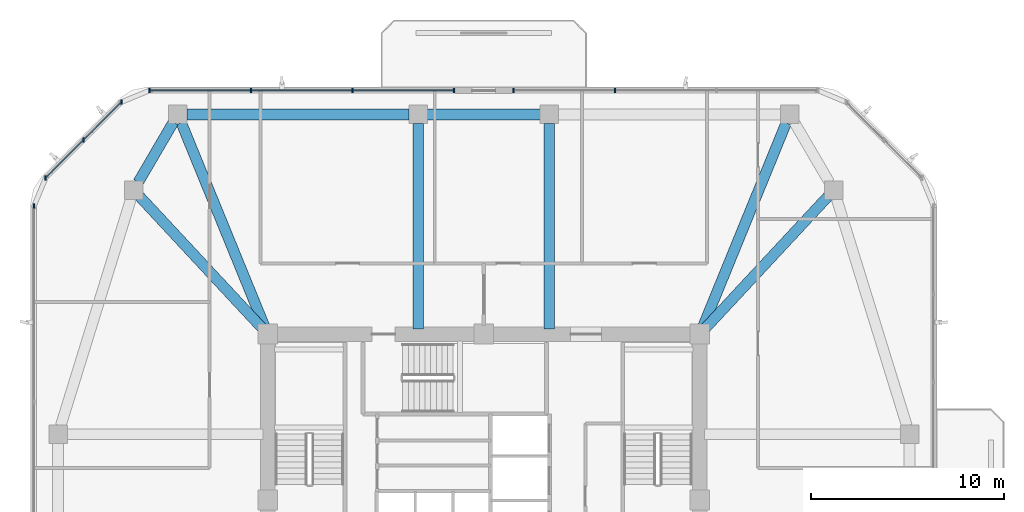
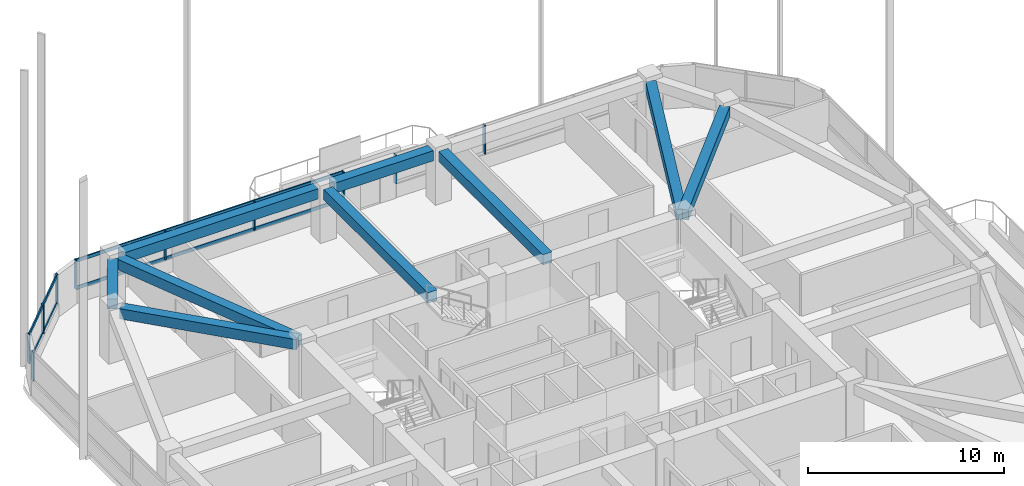
# One storey, part 5 of 14: 14 members, 9 beams, 4 elements without a shape of their own.
"""IFC4 building model written with IfcOpenShell, lengths in metres."""

from ifc_helpers import new_model, si_unit, derived_unit, direction, frame, origin, origin_2d, place, context, subcontext, project, spatial, rectangle, extrude, material, material_profile, profile_set, type_object, element, aggregate, save


model = new_model("IFC4")

# Units and contexts
model_context = context("Model", 3, precision=1e-05, world=origin(), true_north=direction((0.0, 1.0)))
body_context = subcontext(model_context, "Body", "Model", "MODEL_VIEW")
ifc_project = project(units=[si_unit("LENGTHUNIT", "METRE"), si_unit("AREAUNIT", "SQUARE_METRE"), si_unit("VOLUMEUNIT", "CUBIC_METRE"), si_unit("PLANEANGLEUNIT", "RADIAN"), si_unit("MASSUNIT", "GRAM", prefix="KILO"), derived_unit("THERMALTRANSMITTANCEUNIT", [(si_unit("POWERUNIT", "WATT"), 1), (si_unit("LENGTHUNIT", "METRE"), -2), (si_unit("THERMODYNAMICTEMPERATUREUNIT", "KELVIN"), -1)])], contexts=[model_context])

# Site, building, storey
site_placement = place(None, origin())
site = spatial("IfcSite", under=ifc_project, at=site_placement, CompositionType="ELEMENT")
building_placement = place(site_placement, origin())
building = spatial("IfcBuilding", under=site, at=building_placement, Name="Koralith Skygarden Medical Center", CompositionType="ELEMENT")
storey_placement = place(building_placement, frame((0.0, 0.0, 174.419921875)))
storey = spatial("IfcBuildingStorey", under=building, at=storey_placement, Name="L45", CompositionType="ELEMENT", Elevation=174.419921875)

# Curtain wall, members
ifc_material_1 = material(Name="Clear Laminated Glass", Category="glass")
curtain_wall_type = type_object("IfcCurtainWallType", Name="CW-4 Zone 3 Waist High-Wind Curtain Wall", PredefinedType="NOTDEFINED", material=ifc_material_1)
curtain_wall_1_placement = place(storey_placement, origin())
curtain_wall_1 = element("IfcCurtainWall", 1, at=curtain_wall_1_placement, inside=storey, type_object=curtain_wall_type, Name="Curtain Wall CW-L45-N-L", PredefinedType="NOTDEFINED")
ifc_material_2 = material(Name="Aluminium 6063-T6", Category="aluminium")
ifc_material_profile_1 = material_profile(ifc_material_2, rectangle(XDim=0.076904296875, YDim=0.22998046875, at=origin_2d()), Name="MUL77X230")
ifc_profile_set_1 = profile_set([ifc_material_profile_1], Name="Aluminium 6063-T6")
member_type_1 = type_object("IfcMemberType", Name="CW-4 Extruded Mullion 77x230", PredefinedType="MULLION", material=ifc_profile_set_1)
member_1_placement = place(storey_placement, frame((43.803955078125, 47.1201171875, 0.85009765625), z_axis=(0.0, 0.0, 1.0), x_axis=(1.0, 0.0, 0.0)))
member_1 = element("IfcMember", 2, at=member_1_placement, type_object=member_type_1, Name="CW-L45-N-L Mullion 3", PredefinedType="MULLION", context=body_context, shape_type="SweptSolid", body=[
    extrude(rectangle(XDim=0.076904296875, YDim=0.22998046875, at=origin_2d()), origin(), (0.0, 0.0, 1.0), 1.800048828125),
])
member_2_placement = place(storey_placement, frame((38.541015625, 47.1201171875, 0.85009765625), z_axis=(0.0, 0.0, 1.0), x_axis=(1.0, 0.0, 0.0)))
member_2 = element("IfcMember", 3, at=member_2_placement, type_object=member_type_1, Name="CW-L45-N-L Mullion 4", PredefinedType="MULLION", context=body_context, shape_type="SweptSolid", body=[
    extrude(rectangle(XDim=0.076904296875, YDim=0.22998046875, at=origin_2d()), origin(), (0.0, 0.0, 1.0), 1.800048828125),
])
aggregate(curtain_wall_1, [member_1, member_2])

curtain_wall_2_placement = place(storey_placement, origin())
curtain_wall_2 = element("IfcCurtainWall", 4, at=curtain_wall_2_placement, inside=storey, type_object=curtain_wall_type, Name="Curtain Wall CW-L45-N-R", PredefinedType="NOTDEFINED")
member_3_placement = place(storey_placement, frame((35.4609375, 47.1201171875, 0.85009765625), z_axis=(0.0, 0.0, 1.0), x_axis=(1.0, 0.0, 0.0)))
member_3 = element("IfcMember", 5, at=member_3_placement, type_object=member_type_1, Name="CW-L45-N-R Mullion 1", PredefinedType="MULLION", context=body_context, shape_type="SweptSolid", body=[
    extrude(rectangle(XDim=0.076904296875, YDim=0.22998046875, at=origin_2d()), origin(), (0.0, 0.0, 1.0), 1.800048828125),
])
member_4_placement = place(storey_placement, frame((30.197998046875, 47.1201171875, 0.85009765625), z_axis=(0.0, 0.0, 1.0), x_axis=(1.0, 0.0, 0.0)))
member_4 = element("IfcMember", 6, at=member_4_placement, type_object=member_type_1, Name="CW-L45-N-R Mullion 2", PredefinedType="MULLION", context=body_context, shape_type="SweptSolid", body=[
    extrude(rectangle(XDim=0.076904296875, YDim=0.22998046875, at=origin_2d()), origin(), (0.0, 0.0, 1.0), 1.800048828125),
])
member_5_placement = place(storey_placement, frame((24.93408203125, 47.1201171875, 0.85009765625), z_axis=(0.0, 0.0, 1.0), x_axis=(1.0, 0.0, 0.0)))
member_5 = element("IfcMember", 7, at=member_5_placement, type_object=member_type_1, Name="CW-L45-N-R Mullion 3", PredefinedType="MULLION", context=body_context, shape_type="SweptSolid", body=[
    extrude(rectangle(XDim=0.076904296875, YDim=0.22998046875, at=origin_2d()), origin(), (0.0, 0.0, 1.0), 1.800048828125),
])
member_6_placement = place(storey_placement, frame((19.6708984375, 47.1201171875, 0.85009765625), z_axis=(0.0, 0.0, 1.0), x_axis=(1.0, 0.0, 0.0)))
member_6 = element("IfcMember", 8, at=member_6_placement, type_object=member_type_1, Name="CW-L45-N-R Mullion 4", PredefinedType="MULLION", context=body_context, shape_type="SweptSolid", body=[
    extrude(rectangle(XDim=0.076904296875, YDim=0.22998046875, at=origin_2d()), origin(), (0.0, 0.0, 1.0), 1.800048828125),
])

curtain_wall_3_placement = place(storey_placement, origin())
curtain_wall_3 = element("IfcCurtainWall", 9, at=curtain_wall_3_placement, inside=storey, type_object=curtain_wall_type, Name="Curtain Wall CW-L45-NW", PredefinedType="NOTDEFINED")
member_7_placement = place(storey_placement, frame((18.219970703125, 46.51904296875, 0.85009765625), z_axis=(0.0, 0.0, 1.0), x_axis=(1.0, 0.0, 0.0)))
member_7 = element("IfcMember", 10, at=member_7_placement, type_object=member_type_1, Name="CW-L45-NW Mullion 1", PredefinedType="MULLION", context=body_context, shape_type="SweptSolid", body=[
    extrude(rectangle(XDim=0.076904296875, YDim=0.22998046875, at=origin_2d()), origin(), (0.0, 0.0, 1.0), 1.800048828125),
])
member_8_placement = place(storey_placement, frame((16.258056640625, 44.556884765625, 0.85009765625), z_axis=(0.0, 0.0, 1.0), x_axis=(1.0, 0.0, 0.0)))
member_8 = element("IfcMember", 11, at=member_8_placement, type_object=member_type_1, Name="CW-L45-NW Mullion 2", PredefinedType="MULLION", context=body_context, shape_type="SweptSolid", body=[
    extrude(rectangle(XDim=0.076904296875, YDim=0.22998046875, at=origin_2d()), origin(), (0.0, 0.0, 1.0), 1.800048828125),
])
member_9_placement = place(storey_placement, frame((14.297119140625, 42.595947265625, 0.85009765625), z_axis=(0.0, 0.0, 1.0), x_axis=(1.0, 0.0, 0.0)))
member_9 = element("IfcMember", 12, at=member_9_placement, type_object=member_type_1, Name="CW-L45-NW Mullion 3", PredefinedType="MULLION", context=body_context, shape_type="SweptSolid", body=[
    extrude(rectangle(XDim=0.076904296875, YDim=0.22998046875, at=origin_2d()), origin(), (0.0, 0.0, 1.0), 1.800048828125),
])

# Curtain wall, member
curtain_wall_4_placement = place(storey_placement, origin())
curtain_wall_4 = element("IfcCurtainWall", 13, at=curtain_wall_4_placement, inside=storey, type_object=curtain_wall_type, Name="Curtain Wall CW-L45-W", PredefinedType="NOTDEFINED")
member_10_placement = place(storey_placement, frame((13.696044921875, 41.14501953125, 0.85009765625), z_axis=(0.0, 0.0, 1.0), x_axis=(1.0, 0.0, 0.0)))
member_10 = element("IfcMember", 14, at=member_10_placement, type_object=member_type_1, Name="CW-L45-W Mullion 1", PredefinedType="MULLION", context=body_context, shape_type="SweptSolid", body=[
    extrude(rectangle(XDim=0.076904296875, YDim=0.22998046875, at=origin_2d()), origin(), (0.0, 0.0, 1.0), 1.800048828125),
])
aggregate(curtain_wall_4, [member_10])

# Member
ifc_material_profile_2 = material_profile(ifc_material_2, rectangle(XDim=0.072021484375, YDim=0.20703125, at=origin_2d()), Name="TRN72X207")
ifc_profile_set_2 = profile_set([ifc_material_profile_2], Name="Aluminium 6063-T6")
member_type_2 = type_object("IfcMemberType", Name="CW-4 Thermal Transom 72x207", PredefinedType="USERDEFINED", material=ifc_profile_set_2)
member_11_placement = place(storey_placement, frame((35.4609375, 47.1201171875, 0.900146484375), z_axis=(-1.0, 0.0, 0.0), x_axis=(0.0, -1.0, 0.0)))
member_11 = element("IfcMember", 15, at=member_11_placement, type_object=member_type_2, Name="CW-L45-N-R Transom 1", ObjectType="TRANSOM", PredefinedType="USERDEFINED", context=body_context, shape_type="SweptSolid", body=[
    extrude(rectangle(XDim=0.072021484375, YDim=0.20703125, at=origin_2d()), origin(), (0.0, 0.0, 1.0), 15.7900390625),
])

member_12_placement = place(storey_placement, frame((35.4609375, 47.1201171875, 2.60009765625), z_axis=(-1.0, 0.0, 0.0), x_axis=(0.0, -1.0, 0.0)))
member_12 = element("IfcMember", 16, at=member_12_placement, type_object=member_type_2, Name="CW-L45-N-R Transom 2", ObjectType="TRANSOM", PredefinedType="USERDEFINED", context=body_context, shape_type="SweptSolid", body=[
    extrude(rectangle(XDim=0.072021484375, YDim=0.20703125, at=origin_2d()), origin(), (0.0, 0.0, 1.0), 15.7900390625),
])

aggregate(curtain_wall_2, [member_3, member_4, member_5, member_6, member_11, member_12])

member_13_placement = place(storey_placement, frame((18.219970703125, 46.51904296875, 0.900146484375), z_axis=(-0.707084777957, -0.707128783731, 0.0), x_axis=(0.707128783731, -0.707084777957, 0.0)))
member_13 = element("IfcMember", 17, at=member_13_placement, type_object=member_type_2, Name="CW-L45-NW Transom 1", ObjectType="TRANSOM", PredefinedType="USERDEFINED", context=body_context, shape_type="SweptSolid", body=[
    extrude(rectangle(XDim=0.072021484375, YDim=0.20703125, at=origin_2d()), origin(), (0.0, 0.0, 1.0), 5.5478515625),
])

member_14_placement = place(storey_placement, frame((18.219970703125, 46.51904296875, 2.60009765625), z_axis=(-0.707084777957, -0.707128783731, 0.0), x_axis=(0.707128783731, -0.707084777957, 0.0)))
member_14 = element("IfcMember", 18, at=member_14_placement, type_object=member_type_2, Name="CW-L45-NW Transom 2", ObjectType="TRANSOM", PredefinedType="USERDEFINED", context=body_context, shape_type="SweptSolid", body=[
    extrude(rectangle(XDim=0.072021484375, YDim=0.20703125, at=origin_2d()), origin(), (0.0, 0.0, 1.0), 5.5478515625),
])

aggregate(curtain_wall_3, [member_7, member_8, member_9, member_13, member_14])

# Beams
ifc_material_3 = material(Name="Concrete C45/55", Category="concrete")
ifc_material_profile_3 = material_profile(ifc_material_3, rectangle(XDim=0.550048828125, YDim=0.639892578125, at=origin_2d()), Name="RCB550X640")
ifc_profile_set_3 = profile_set([ifc_material_profile_3], Name="Concrete C45/55")
beam_type_1 = type_object("IfcBeamType", Name="Radial Collector Beam RCB550X640", PredefinedType="BEAM", material=ifc_profile_set_3)
beam_1_placement = place(storey_placement, frame((48.3701171875, 34.68310546875, 2.97998046875), z_axis=(0.681369011591, 0.731940072713, 0.0), x_axis=(-0.731940072713, 0.681369011591, 0.0)))
element("IfcBeam", 19, at=beam_1_placement, inside=storey, type_object=beam_type_1, Name="L45 Radial Collector Beam RB-10", PredefinedType="BEAM", context=body_context, shape_type="SweptSolid", body=[
    extrude(rectangle(XDim=0.550048828125, YDim=0.639892578125, at=origin_2d()), origin(), (0.0, 0.0, 1.0), 9.471923828125),
])
beam_2_placement = place(storey_placement, frame((48.294921875, 34.73095703125, 2.97998046875), z_axis=(0.378344544364, 0.92566484526, 0.0), x_axis=(-0.92566484526, 0.378344544364, 0.0)))
element("IfcBeam", 20, at=beam_2_placement, inside=storey, type_object=beam_type_1, Name="L45 Radial Collector Beam RB-11", PredefinedType="BEAM", context=body_context, shape_type="SweptSolid", body=[
    extrude(rectangle(XDim=0.550048828125, YDim=0.639892578125, at=origin_2d()), origin(), (0.0, 0.0, 1.0), 11.574462890625),
])
for number, where, z_axis, x_axis, name in (
    (21, (40.39990234375, 34.75, 2.97998046875), (0.0, 1.0, 0.0), (-1.0, 0.0, 0.0), "L45 Radial Collector Beam RB-12"),
    (22, (33.60009765625, 34.75, 2.97998046875), (0.0, 1.0, 0.0), (-1.0, 0.0, 0.0), "L45 Radial Collector Beam RB-13"),
):
    element("IfcBeam", number, at=place(storey_placement, frame(where, z_axis=z_axis, x_axis=x_axis)), inside=storey, type_object=beam_type_1, Name=name, PredefinedType="BEAM", context=body_context, shape_type="SweptSolid", body=[
        extrude(rectangle(XDim=0.550048828125, YDim=0.639892578125, at=origin_2d()), origin(), (0.0, 0.0, 1.0), 10.659912109375),
    ])
beam_3_placement = place(storey_placement, frame((25.705078125, 34.73095703125, 2.97998046875), z_axis=(-0.378344544364, 0.92566484526, 0.0), x_axis=(-0.92566484526, -0.378344544364, 0.0)))
element("IfcBeam", 23, at=beam_3_placement, inside=storey, type_object=beam_type_1, Name="L45 Radial Collector Beam RB-14", PredefinedType="BEAM", context=body_context, shape_type="SweptSolid", body=[
    extrude(rectangle(XDim=0.550048828125, YDim=0.639892578125, at=origin_2d()), origin(), (0.0, 0.0, 1.0), 11.574462890625),
])
beam_4_placement = place(storey_placement, frame((25.6298828125, 34.68310546875, 2.97998046875), z_axis=(-0.681369011591, 0.731940072713, 0.0), x_axis=(-0.731940072713, -0.681369011591, 0.0)))
element("IfcBeam", 24, at=beam_4_placement, inside=storey, type_object=beam_type_1, Name="L45 Radial Collector Beam RB-15", PredefinedType="BEAM", context=body_context, shape_type="SweptSolid", body=[
    extrude(rectangle(XDim=0.550048828125, YDim=0.639892578125, at=origin_2d()), origin(), (0.0, 0.0, 1.0), 9.471923828125),
])
ifc_material_profile_4 = material_profile(ifc_material_3, rectangle(XDim=0.550048828125, YDim=0.639892578125, at=origin_2d()), Name="RCB550X640")
ifc_profile_set_4 = profile_set([ifc_material_profile_4], Name="Concrete C45/55")
beam_type_2 = type_object("IfcBeamType", Name="Zone 2-3 Spandrel Beam RCB550X640", PredefinedType="SPANDREL", material=ifc_profile_set_4)
beam_5_placement = place(storey_placement, frame((39.929931640625, 45.8798828125, 2.97998046875), z_axis=(-1.0, 0.0, 0.0), x_axis=(0.0, -1.0, 0.0)))
element("IfcBeam", 25, at=beam_5_placement, inside=storey, type_object=beam_type_2, Name="L45 Perimeter Spandrel Beam SP-12", PredefinedType="SPANDREL", context=body_context, shape_type="SweptSolid", body=[
    extrude(rectangle(XDim=0.550048828125, YDim=0.639892578125, at=origin_2d()), origin(), (0.0, 0.0, 1.0), 5.85986328125),
])
beam_6_placement = place(storey_placement, frame((33.1298828125, 45.8798828125, 2.97998046875), z_axis=(-1.0, 0.0, 0.0), x_axis=(0.0, -1.0, 0.0)))
element("IfcBeam", 26, at=beam_6_placement, inside=storey, type_object=beam_type_2, Name="L45 Perimeter Spandrel Beam SP-13", PredefinedType="SPANDREL", context=body_context, shape_type="SweptSolid", body=[
    extrude(rectangle(XDim=0.550048828125, YDim=0.639892578125, at=origin_2d()), origin(), (0.0, 0.0, 1.0), 11.511962890625),
])
beam_7_placement = place(storey_placement, frame((20.910888671875, 45.47412109375, 2.97998046875), z_axis=(-0.504861391295, -0.863200426077, 0.0), x_axis=(0.863200426077, -0.504861391295, 0.0)))
element("IfcBeam", 27, at=beam_7_placement, inside=storey, type_object=beam_type_2, Name="L45 Perimeter Spandrel Beam SP-14", PredefinedType="SPANDREL", context=body_context, shape_type="SweptSolid", body=[
    extrude(rectangle(XDim=0.550048828125, YDim=0.639892578125, at=origin_2d()), origin(), (0.0, 0.0, 1.0), 3.600830078125),
])

save(model, "model.ifc")
